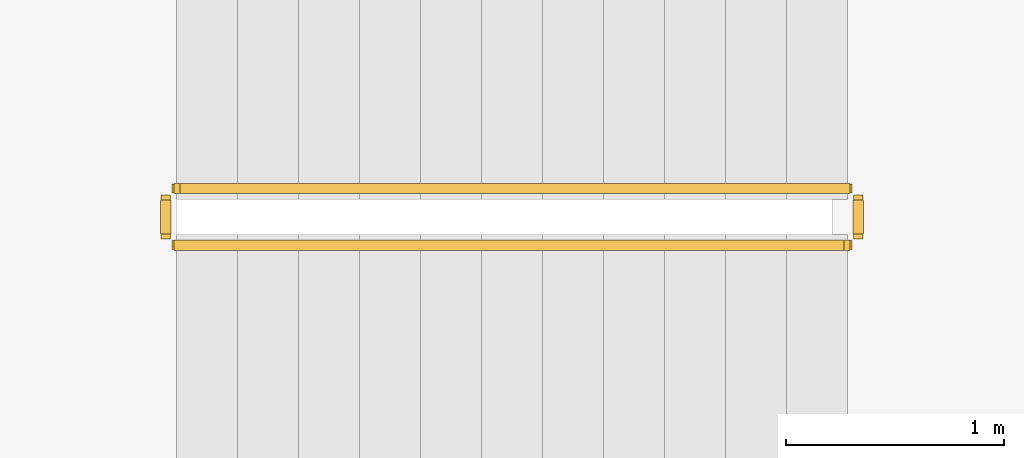
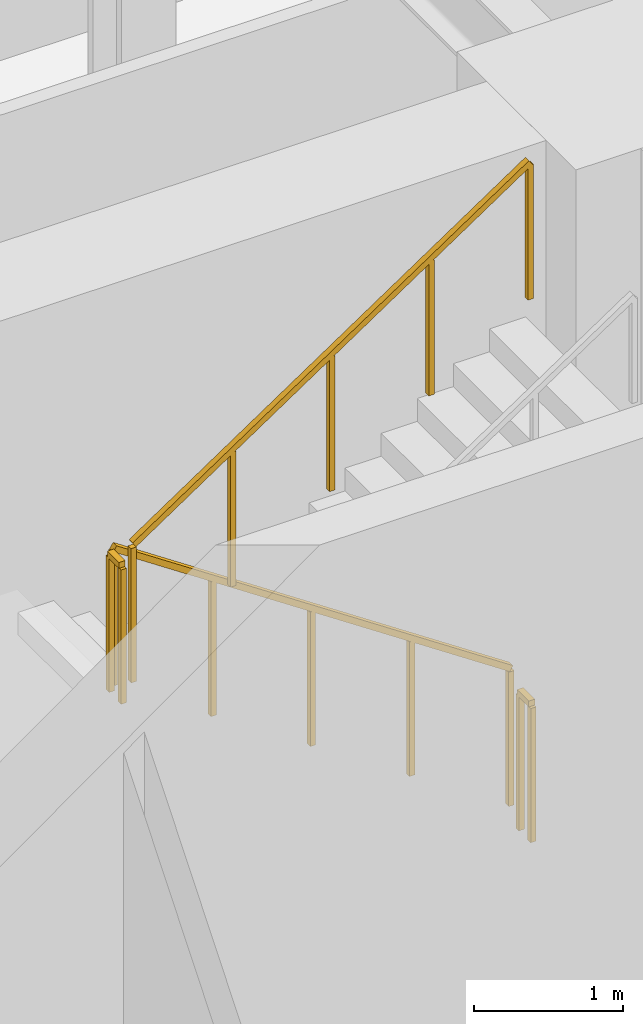
# One storey, part 11 of 14: 4 railings.
"""IFC4 building model written with IfcOpenShell, lengths in metres."""

from ifc_helpers import new_model, si_unit, direction, frame, origin, origin_2d, place, context, subcontext, project, spatial, rectangle, extrude, material, type_object, element, save


model = new_model("IFC4")

# Units and contexts
model_context = context("Model", 3, precision=1e-05, world=origin(), true_north=direction((0.0, 1.0)))
body_context = subcontext(model_context, "Body", "Model", "MODEL_VIEW")
ifc_project = project(units=[si_unit("LENGTHUNIT", "METRE"), si_unit("AREAUNIT", "SQUARE_METRE"), si_unit("VOLUMEUNIT", "CUBIC_METRE"), si_unit("PLANEANGLEUNIT", "RADIAN"), si_unit("MASSUNIT", "GRAM", prefix="KILO")], contexts=[model_context])

# Site, building, storey
site_placement = place(None, origin())
site = spatial("IfcSite", under=ifc_project, at=site_placement, CompositionType="ELEMENT")
building_placement = place(site_placement, origin())
building = spatial("IfcBuilding", under=site, at=building_placement, Name="Zarnavel Station Tower", CompositionType="ELEMENT")
storey_placement = place(building_placement, frame((0.0, 0.0, 14.89990234375)))
storey = spatial("IfcBuildingStorey", under=building, at=storey_placement, Name="L04", CompositionType="ELEMENT", Elevation=14.89990234375)

# Railings
ifc_material = material(Name="Painted Steel S355J2 Balustrade", Category="steel")
railing_type = type_object("IfcRailingType", Name="GR_INT_1150", PredefinedType="GUARDRAIL", material=ifc_material)
railing_1_placement = place(storey_placement, frame((19.47998046875, 35.3701171875, 0.1875)))
element("IfcRailing", 1, at=railing_1_placement, inside=storey, type_object=railing_type, Name="L04 ST1 stair guard 1", PredefinedType="GUARDRAIL", context=body_context, shape_type="SweptSolid", body=[
    extrude(rectangle(XDim=0.048095703125, YDim=0.048095703125, at=origin_2d()), frame((-0.001708984375, 0.0, 1.126953125), z_axis=(-0.830913701846, 0.0, 0.55640131208), x_axis=(0.0, -1.0, 0.0)), (0.0, 0.0, 1.0), 3.702880859375),
    extrude(rectangle(XDim=0.0419921875, YDim=0.0419921875, at=origin_2d()), origin(), (0.0, 0.0, 1.0), 1.101806640625),
    extrude(rectangle(XDim=0.0419921875, YDim=0.0419921875, at=origin_2d()), frame((-0.77001953125, 0.0, 0.515625)), (0.0, 0.0, 1.0), 1.101806640625),
    extrude(rectangle(XDim=0.0419921875, YDim=0.0419921875, at=origin_2d()), frame((-1.5400390625, 0.0, 1.03125)), (0.0, 0.0, 1.0), 1.101806640625),
    extrude(rectangle(XDim=0.0419921875, YDim=0.0419921875, at=origin_2d()), frame((-2.31005859375, 0.0, 1.546875)), (0.0, 0.0, 1.0), 1.101806640625),
    extrude(rectangle(XDim=0.0419921875, YDim=0.0419921875, at=origin_2d()), frame((-3.080078125, 0.0, 2.0625)), (0.0, 0.0, 1.0), 1.101806640625),
])
railing_2_placement = place(storey_placement, frame((16.35009765625, 35.320068359375, 2.25)))
element("IfcRailing", 2, at=railing_2_placement, inside=storey, type_object=railing_type, Name="L04 ST1 stair guard 2", PredefinedType="GUARDRAIL", context=body_context, shape_type="SweptSolid", body=[
    extrude(rectangle(XDim=0.048095703125, YDim=0.048095703125, at=origin_2d()), frame((0.0, -0.001953125, 1.1259765625), z_axis=(0.0, -1.0, 0.0), x_axis=(1.0, 0.0, 0.0)), (0.0, 0.0, 1.0), 0.15625),
    extrude(rectangle(XDim=0.0419921875, YDim=0.0419921875, at=origin_2d()), origin(), (0.0, 0.0, 1.0), 1.101806640625),
    extrude(rectangle(XDim=0.0419921875, YDim=0.0419921875, at=origin_2d()), frame((0.0, -0.16015625, 0.0)), (0.0, 0.0, 1.0), 1.101806640625),
])
railing_3_placement = place(storey_placement, frame((16.39990234375, 35.110107421875, 2.4375)))
element("IfcRailing", 3, at=railing_3_placement, inside=storey, type_object=railing_type, Name="L04 ST1 stair guard 3", PredefinedType="GUARDRAIL", context=body_context, shape_type="SweptSolid", body=[
    extrude(rectangle(XDim=0.048095703125, YDim=0.048095703125, at=origin_2d()), frame((0.001708984375, 0.0, 1.126953125), z_axis=(0.830913701846, 0.0, 0.55640131208), x_axis=(0.0, 1.0, 0.0)), (0.0, 0.0, 1.0), 3.702880859375),
    extrude(rectangle(XDim=0.0419921875, YDim=0.0419921875, at=origin_2d()), origin(), (0.0, 0.0, 1.0), 1.101806640625),
    extrude(rectangle(XDim=0.0419921875, YDim=0.0419921875, at=origin_2d()), frame((0.77001953125, 0.0, 0.515625)), (0.0, 0.0, 1.0), 1.101806640625),
    extrude(rectangle(XDim=0.0419921875, YDim=0.0419921875, at=origin_2d()), frame((1.5400390625, 0.0, 1.03125)), (0.0, 0.0, 1.0), 1.101806640625),
    extrude(rectangle(XDim=0.0419921875, YDim=0.0419921875, at=origin_2d()), frame((2.31005859375, 0.0, 1.546875)), (0.0, 0.0, 1.0), 1.101806640625),
    extrude(rectangle(XDim=0.0419921875, YDim=0.0419921875, at=origin_2d()), frame((3.080078125, 0.0, 2.0625)), (0.0, 0.0, 1.0), 1.101806640625),
])
railing_4_placement = place(storey_placement, frame((19.530029296875, 35.320068359375, 0.0)))
element("IfcRailing", 4, at=railing_4_placement, inside=storey, type_object=railing_type, Name="L04 ST1 stair guard 4", PredefinedType="GUARDRAIL", context=body_context, shape_type="SweptSolid", body=[
    extrude(rectangle(XDim=0.048095703125, YDim=0.048095703125, at=origin_2d()), frame((0.0, -0.001953125, 1.1259765625), z_axis=(0.0, -1.0, 0.0), x_axis=(1.0, 0.0, 0.0)), (0.0, 0.0, 1.0), 0.15625),
    extrude(rectangle(XDim=0.0419921875, YDim=0.0419921875, at=origin_2d()), origin(), (0.0, 0.0, 1.0), 1.101806640625),
    extrude(rectangle(XDim=0.0419921875, YDim=0.0419921875, at=origin_2d()), frame((0.0, -0.16015625, 0.0)), (0.0, 0.0, 1.0), 1.101806640625),
])

save(model, "model.ifc")
